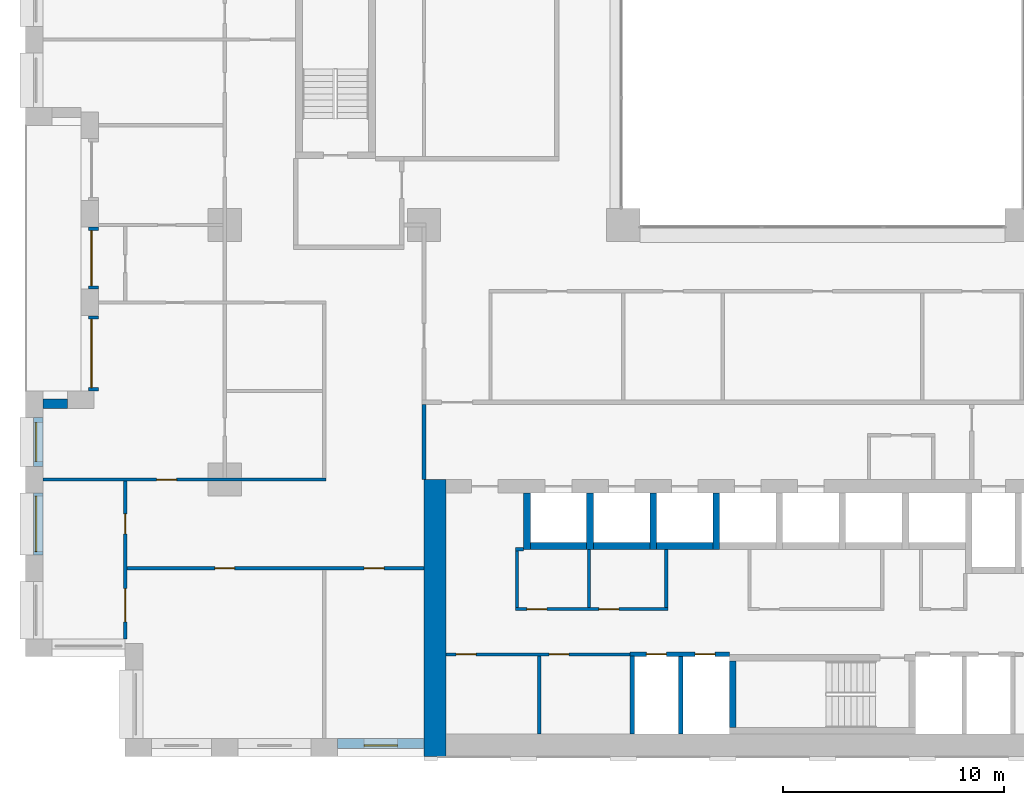
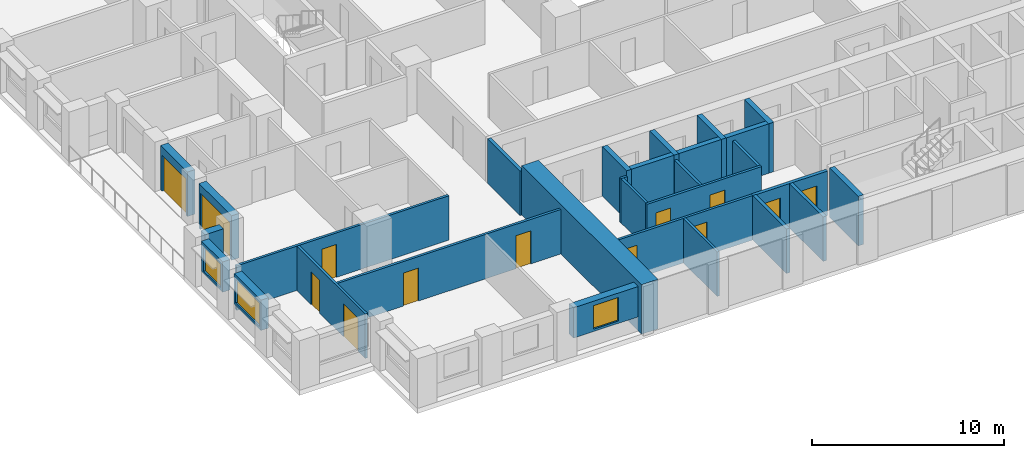
# One storey, part 9 of 20: 29 walls, 13 doors, 3 windows, 16 openings.
"""IFC4 building model written with IfcOpenShell, lengths in metres."""

from ifc_helpers import new_model, si_unit, direction, frame, frame_2d, origin, place, context, subcontext, project, spatial, rectangle, extrude, material, layer, layer_set, type_object, element, fill, save


model = new_model("IFC4")

# Units and contexts
model_context = context("Model", 3, precision=1e-05, world=origin(), true_north=direction((0.0, 1.0)))
body_context = subcontext(model_context, "Body", "Model", "MODEL_VIEW")
ifc_project = project(units=[si_unit("LENGTHUNIT", "METRE"), si_unit("AREAUNIT", "SQUARE_METRE"), si_unit("VOLUMEUNIT", "CUBIC_METRE"), si_unit("PLANEANGLEUNIT", "RADIAN"), si_unit("MASSUNIT", "GRAM", prefix="KILO")], contexts=[model_context])

# Site, building, storey
site_placement = place(None, origin())
site = spatial("IfcSite", under=ifc_project, at=site_placement, CompositionType="ELEMENT")
building_placement = place(site_placement, origin())
building = spatial("IfcBuilding", under=site, at=building_placement, Name="Brigalow Station Residences", CompositionType="ELEMENT")
storey_placement = place(building_placement, frame((0.0, 0.0, 44.699951171875)))
storey = spatial("IfcBuildingStorey", under=building, at=storey_placement, Name="L12", CompositionType="ELEMENT", Elevation=44.699951171875)

# Wall, opening, window
ifc_material_1 = material(Name="Clay brick masonry", Category="masonry")
ifc_layer_1 = layer(ifc_material_1, 0.449951171875)
ifc_layer_set_1 = layer_set([ifc_layer_1], Name="BRICK INFILL WALL 450")
wall_type_1 = type_object("IfcWallType", Name="BRICK INFILL WALL 450", PredefinedType="SOLIDWALL", material=ifc_layer_set_1)
wall_1_placement = place(storey_placement, frame((14.10009765625, 0.574951171875, 0.900146484375), z_axis=(0.0, 0.0, 1.0), x_axis=(1.0, 0.0, 0.0)))
wall_1 = element("IfcWall", 1, at=wall_1_placement, inside=storey, type_object=wall_type_1, Name="L12/ewall/W-L12-3", PredefinedType="SOLIDWALL", context=body_context, shape_type="SweptSolid", body=[
    extrude(rectangle(XDim=3.89990234375, YDim=0.449951171875, at=frame_2d((1.949951171875, 0.0))), origin(), (0.0, 0.0, 1.0), 1.929931640625),
])
opening_1_placement = place(wall_1_placement, frame((1.199951171875, 0.0, 0.14990234375)))
opening_1 = element("IfcOpeningElement", 2, at=opening_1_placement, cuts=wall_1, Name="Opening WT-1", PredefinedType="OPENING", context=body_context, shape_type="SweptSolid", body=[
    extrude(rectangle(XDim=1.5, YDim=1.5, at=frame_2d((0.75, 0.75))), frame((0.0, 0.23486328125, 0.0), z_axis=(0.0, -1.0, 0.0), x_axis=(1.0, 0.0, 0.0)), (0.0, 0.0, 1.0), 0.469970703125),
])
ifc_material_2 = material(Name="Anodised aluminium frame with double glazing", Category="aluminium")
window_type_1 = type_object("IfcWindowType", Name="WINDOW 1500x1500", PartitioningType="SINGLE_PANEL", PredefinedType="WINDOW", material=ifc_material_2)
window_1_placement = place(opening_1_placement, origin())
window_1 = element("IfcWindow", 3, at=window_1_placement, inside=storey, type_object=window_type_1, Name="L12/window/W-L12-3", OverallHeight=1.5, OverallWidth=1.5, PartitioningType="SINGLE_PANEL", PredefinedType="WINDOW", context=body_context, shape_type="SweptSolid", body=[
    extrude(rectangle(XDim=1.5, YDim=1.5, at=frame_2d((0.75, 0.75))), frame((0.0, -0.06494140625, 0.0), z_axis=(0.0, -1.0, 0.0), x_axis=(1.0, 0.0, 0.0)), (0.0, 0.0, 1.0), 0.06005859375),
])
fill(opening_1, window_1)

# Wall, opening, door
wall_2_placement = place(storey_placement, frame((3.074951171875, 23.89990234375, 0.0), z_axis=(0.0, 0.0, 1.0), x_axis=(0.0, -1.0, 0.0)))
wall_2 = element("IfcWall", 4, at=wall_2_placement, inside=storey, type_object=wall_type_1, Name="L12/ewall/W-L12-48", PredefinedType="SOLIDWALL", context=body_context, shape_type="SweptSolid", body=[
    extrude(rectangle(XDim=2.7998046875, YDim=0.449951171875, at=frame_2d((1.39990234375, 0.0))), origin(), (0.0, 0.0, 1.0), 2.830078125),
])
opening_2_placement = place(wall_2_placement, frame((0.14990234375, 0.0, 0.0)))
opening_2 = element("IfcOpeningElement", 5, at=opening_2_placement, cuts=wall_2, Name="Opening D-B2500", PredefinedType="OPENING", context=body_context, shape_type="SweptSolid", body=[
    extrude(rectangle(XDim=2.5, YDim=2.300048828125, at=frame_2d((1.25, 1.14990234375))), frame((0.0, 0.23486328125, 0.0), z_axis=(0.0, -1.0, 0.0), x_axis=(1.0, 0.0, 0.0)), (0.0, 0.0, 1.0), 0.469970703125),
])
ifc_material_3 = material(Name="Anodised aluminium frame with double glazing", Category="aluminium")
door_type_1 = type_object("IfcDoorType", Name="BALCONY SLIDING DOOR 2500x2300", OperationType="SLIDING_TO_LEFT", PredefinedType="DOOR", material=ifc_material_3)
door_1_placement = place(opening_2_placement, origin())
door_1 = element("IfcDoor", 6, at=door_1_placement, inside=storey, type_object=door_type_1, Name="L12/balcony-door/W-L12-48", OperationType="SLIDING_TO_LEFT", OverallHeight=2.300048828125, OverallWidth=2.5, PredefinedType="DOOR", context=body_context, shape_type="SweptSolid", body=[
    extrude(rectangle(XDim=2.5, YDim=2.300048828125, at=frame_2d((1.25, 1.14990234375))), frame((0.0, -0.06982421875, 0.0), z_axis=(0.0, -1.0, 0.0), x_axis=(1.0, 0.0, 0.0)), (0.0, 0.0, 1.0), 0.050048828125),
])
fill(opening_2, door_1)

wall_3_placement = place(storey_placement, frame((3.074951171875, 19.89990234375, 0.0), z_axis=(0.0, 0.0, 1.0), x_axis=(0.0, -1.0, 0.0)))
wall_3 = element("IfcWall", 7, at=wall_3_placement, inside=storey, type_object=wall_type_1, Name="L12/ewall/W-L12-49", PredefinedType="SOLIDWALL", context=body_context, shape_type="SweptSolid", body=[
    extrude(rectangle(XDim=3.39990234375, YDim=0.449951171875, at=frame_2d((1.699951171875, 0.0))), origin(), (0.0, 0.0, 1.0), 2.830078125),
])
opening_3_placement = place(wall_3_placement, frame((0.14990234375, 0.0, 0.0)))
opening_3 = element("IfcOpeningElement", 8, at=opening_3_placement, cuts=wall_3, Name="Opening D-B3100", PredefinedType="OPENING", context=body_context, shape_type="SweptSolid", body=[
    extrude(rectangle(XDim=3.10009765625, YDim=2.300048828125, at=frame_2d((1.550048828125, 1.14990234375))), frame((0.0, 0.23486328125, 0.0), z_axis=(0.0, -1.0, 0.0), x_axis=(1.0, 0.0, 0.0)), (0.0, 0.0, 1.0), 0.469970703125),
])
ifc_material_4 = material(Name="Anodised aluminium frame with double glazing", Category="aluminium")
door_type_2 = type_object("IfcDoorType", Name="BALCONY SLIDING DOOR 3100x2300", OperationType="SLIDING_TO_LEFT", PredefinedType="DOOR", material=ifc_material_4)
door_2_placement = place(opening_3_placement, origin())
door_2 = element("IfcDoor", 9, at=door_2_placement, inside=storey, type_object=door_type_2, Name="L12/balcony-door/W-L12-49", OperationType="SLIDING_TO_LEFT", OverallHeight=2.300048828125, OverallWidth=3.10009765625, PredefinedType="DOOR", context=body_context, shape_type="SweptSolid", body=[
    extrude(rectangle(XDim=3.10009765625, YDim=2.300048828125, at=frame_2d((1.550048828125, 1.14990234375))), frame((0.0, -0.06982421875, 0.0), z_axis=(0.0, -1.0, 0.0), x_axis=(1.0, 0.0, 0.0)), (0.0, 0.0, 1.0), 0.050048828125),
])
fill(opening_3, door_2)

# Wall
wall_4_placement = place(storey_placement, frame((1.89990234375, 15.925048828125, 0.900146484375), z_axis=(0.0, 0.0, 1.0), x_axis=(-1.0, 0.0, 0.0)))
element("IfcWall", 10, at=wall_4_placement, inside=storey, type_object=wall_type_1, Name="L12/ewall/W-L12-50", PredefinedType="SOLIDWALL", context=body_context, shape_type="SweptSolid", body=[
    extrude(rectangle(XDim=1.099853515625, YDim=0.449951171875, at=frame_2d((0.5498046875, 0.0))), origin(), (0.0, 0.0, 1.0), 1.929931640625),
])

# Wall, opening, window
wall_5_placement = place(storey_placement, frame((0.574951171875, 15.300048828125, 0.900146484375), z_axis=(0.0, 0.0, 1.0), x_axis=(0.0, -1.0, 0.0)))
wall_5 = element("IfcWall", 11, at=wall_5_placement, inside=storey, type_object=wall_type_1, Name="L12/ewall/W-L12-51", PredefinedType="SOLIDWALL", context=body_context, shape_type="SweptSolid", body=[
    extrude(rectangle(XDim=2.199951171875, YDim=0.449951171875, at=frame_2d((1.10009765625, 0.0))), origin(), (0.0, 0.0, 1.0), 1.929931640625),
])
opening_4_placement = place(wall_5_placement, frame((0.22509765625, 0.0, 0.14990234375)))
opening_4 = element("IfcOpeningElement", 12, at=opening_4_placement, cuts=wall_5, Name="Opening WT-4", PredefinedType="OPENING", context=body_context, shape_type="SweptSolid", body=[
    extrude(rectangle(XDim=1.75, YDim=1.5, at=frame_2d((0.875, 0.75))), frame((0.0, 0.23486328125, 0.0), z_axis=(0.0, -1.0, 0.0), x_axis=(1.0, 0.0, 0.0)), (0.0, 0.0, 1.0), 0.469970703125),
])
ifc_material_5 = material(Name="Anodised aluminium frame with double glazing", Category="aluminium")
window_type_2 = type_object("IfcWindowType", Name="WINDOW 1750x1500", PartitioningType="SINGLE_PANEL", PredefinedType="WINDOW", material=ifc_material_5)
window_2_placement = place(opening_4_placement, origin())
window_2 = element("IfcWindow", 13, at=window_2_placement, inside=storey, type_object=window_type_2, Name="L12/window/W-L12-51", OverallHeight=1.5, OverallWidth=1.75, PartitioningType="SINGLE_PANEL", PredefinedType="WINDOW", context=body_context, shape_type="SweptSolid", body=[
    extrude(rectangle(XDim=1.75, YDim=1.5, at=frame_2d((0.875, 0.75))), frame((0.0, -0.06494140625, 0.0), z_axis=(0.0, -1.0, 0.0), x_axis=(1.0, 0.0, 0.0)), (0.0, 0.0, 1.0), 0.06005859375),
])
fill(opening_4, window_2)

wall_6_placement = place(storey_placement, frame((0.574951171875, 11.89990234375, 0.900146484375), z_axis=(0.0, 0.0, 1.0), x_axis=(0.0, -1.0, 0.0)))
wall_6 = element("IfcWall", 14, at=wall_6_placement, inside=storey, type_object=wall_type_1, Name="L12/ewall/W-L12-52", PredefinedType="SOLIDWALL", context=body_context, shape_type="SweptSolid", body=[
    extrude(rectangle(XDim=2.7998046875, YDim=0.449951171875, at=frame_2d((1.39990234375, 0.0))), origin(), (0.0, 0.0, 1.0), 1.929931640625),
])
opening_5_placement = place(wall_6_placement, frame((0.14990234375, 0.0, 0.14990234375)))
opening_5 = element("IfcOpeningElement", 15, at=opening_5_placement, cuts=wall_6, Name="Opening WT-5", PredefinedType="OPENING", context=body_context, shape_type="SweptSolid", body=[
    extrude(rectangle(XDim=2.5, YDim=1.5, at=frame_2d((1.25, 0.75))), frame((0.0, 0.23486328125, 0.0), z_axis=(0.0, -1.0, 0.0), x_axis=(1.0, 0.0, 0.0)), (0.0, 0.0, 1.0), 0.469970703125),
])
ifc_material_6 = material(Name="Anodised aluminium frame with double glazing", Category="aluminium")
window_type_3 = type_object("IfcWindowType", Name="WINDOW 2500x1500", PartitioningType="SINGLE_PANEL", PredefinedType="WINDOW", material=ifc_material_6)
window_3_placement = place(opening_5_placement, origin())
window_3 = element("IfcWindow", 16, at=window_3_placement, inside=storey, type_object=window_type_3, Name="L12/window/W-L12-52", OverallHeight=1.5, OverallWidth=2.5, PartitioningType="SINGLE_PANEL", PredefinedType="WINDOW", context=body_context, shape_type="SweptSolid", body=[
    extrude(rectangle(XDim=2.5, YDim=1.5, at=frame_2d((1.25, 0.75))), frame((0.0, -0.06494140625, 0.0), z_axis=(0.0, -1.0, 0.0), x_axis=(1.0, 0.0, 0.0)), (0.0, 0.0, 1.0), 0.06005859375),
])
fill(opening_5, window_3)

# Walls
ifc_material_7 = material(Name="Concrete C80", Category="concrete")
ifc_layer_2 = layer(ifc_material_7, 1.0)
ifc_layer_set_2 = layer_set([ifc_layer_2], Name="CORE SHEAR WALL 1000 C80")
wall_type_2 = type_object("IfcWallType", Name="CORE SHEAR WALL 1000 C80", PredefinedType="SHEAR", material=ifc_layer_set_2)
wall_7_placement = place(storey_placement, frame((18.5, 0.0, 0.0), z_axis=(0.0, 0.0, 1.0), x_axis=(0.0, 1.0, 0.0)))
element("IfcWall", 17, at=wall_7_placement, inside=storey, type_object=wall_type_2, Name="CORE WALL OUT-W L12", PredefinedType="SHEAR", context=body_context, shape_type="SweptSolid", body=[
    extrude(rectangle(XDim=12.5, YDim=1.0, at=frame_2d((6.25, 0.0))), origin(), (0.0, 0.0, 1.0), 3.150146484375),
])
ifc_material_8 = material(Name="Concrete C80", Category="concrete")
ifc_layer_3 = layer(ifc_material_8, 0.300048828125)
ifc_layer_set_3 = layer_set([ifc_layer_3], Name="CORE SHEAR WALL 300 C80")
wall_type_3 = type_object("IfcWallType", Name="CORE SHEAR WALL 300 C80", PredefinedType="SHEAR", material=ifc_layer_set_3)
wall_8_placement = place(storey_placement, frame((22.800048828125, 9.5, 0.0), z_axis=(0.0, 0.0, 1.0), x_axis=(1.0, 0.0, 0.0)))
element("IfcWall", 18, at=wall_8_placement, inside=storey, type_object=wall_type_3, Name="CORE WALL SH-P1-S L12", PredefinedType="SHEAR", context=body_context, shape_type="SweptSolid", body=[
    extrude(rectangle(XDim=2.550048828125, YDim=0.300048828125, at=frame_2d((1.27490234375, 0.0))), origin(), (0.0, 0.0, 1.0), 3.150146484375),
])
wall_9_placement = place(storey_placement, frame((22.64990234375, 9.35009765625, 0.0), z_axis=(0.0, 0.0, 1.0), x_axis=(0.0, 1.0, 0.0)))
element("IfcWall", 19, at=wall_9_placement, inside=storey, type_object=wall_type_3, Name="CORE WALL SH-P1-W L12", PredefinedType="SHEAR", context=body_context, shape_type="SweptSolid", body=[
    extrude(rectangle(XDim=2.5498046875, YDim=0.300048828125, at=frame_2d((1.27490234375, 0.0))), origin(), (0.0, 0.0, 1.0), 3.150146484375),
])
wall_10_placement = place(storey_placement, frame((25.64990234375, 9.5, 0.0), z_axis=(0.0, 0.0, 1.0), x_axis=(1.0, 0.0, 0.0)))
element("IfcWall", 20, at=wall_10_placement, inside=storey, type_object=wall_type_3, Name="CORE WALL SH-P2-S L12", PredefinedType="SHEAR", context=body_context, shape_type="SweptSolid", body=[
    extrude(rectangle(XDim=2.550048828125, YDim=0.300048828125, at=frame_2d((1.27490234375, 0.0))), origin(), (0.0, 0.0, 1.0), 3.150146484375),
])
wall_11_placement = place(storey_placement, frame((25.5, 9.35009765625, 0.0), z_axis=(0.0, 0.0, 1.0), x_axis=(0.0, 1.0, 0.0)))
element("IfcWall", 21, at=wall_11_placement, inside=storey, type_object=wall_type_3, Name="CORE WALL SH-P2-W L12", PredefinedType="SHEAR", context=body_context, shape_type="SweptSolid", body=[
    extrude(rectangle(XDim=2.5498046875, YDim=0.300048828125, at=frame_2d((1.27490234375, 0.0))), origin(), (0.0, 0.0, 1.0), 3.150146484375),
])
wall_12_placement = place(storey_placement, frame((28.5, 9.5, 0.0), z_axis=(0.0, 0.0, 1.0), x_axis=(1.0, 0.0, 0.0)))
element("IfcWall", 22, at=wall_12_placement, inside=storey, type_object=wall_type_3, Name="CORE WALL SH-P3-S L12", PredefinedType="SHEAR", context=body_context, shape_type="SweptSolid", body=[
    extrude(rectangle(XDim=2.550048828125, YDim=0.300048828125, at=frame_2d((1.27490234375, 0.0))), origin(), (0.0, 0.0, 1.0), 3.150146484375),
])
for number, where, z_axis, x_axis, name in (
    (23, (28.35009765625, 9.35009765625, 0.0), (0.0, 0.0, 1.0), (0.0, 1.0, 0.0), "CORE WALL SH-P3-W L12"),
    (24, (31.199951171875, 9.35009765625, 0.0), (0.0, 0.0, 1.0), (0.0, 1.0, 0.0), "CORE WALL SH-P4-W L12"),
):
    element("IfcWall", number, at=place(storey_placement, frame(where, z_axis=z_axis, x_axis=x_axis)), inside=storey, type_object=wall_type_3, Name=name, PredefinedType="SHEAR", context=body_context, shape_type="SweptSolid", body=[
        extrude(rectangle(XDim=2.5498046875, YDim=0.300048828125, at=frame_2d((1.27490234375, 0.0))), origin(), (0.0, 0.0, 1.0), 3.150146484375),
    ])
wall_13_placement = place(storey_placement, frame((31.949951171875, 1.300048828125, 0.0), z_axis=(0.0, 0.0, 1.0), x_axis=(0.0, 1.0, 0.0)))
element("IfcWall", 25, at=wall_13_placement, inside=storey, type_object=wall_type_3, Name="CORE WALL ST-S2-W L12", PredefinedType="SHEAR", context=body_context, shape_type="SweptSolid", body=[
    extrude(rectangle(XDim=3.0, YDim=0.300048828125, at=frame_2d((1.5, 0.0))), origin(), (0.0, 0.0, 1.0), 3.150146484375),
])

# Wall, openings, doors
ifc_material_9 = material(Name="Concrete blockwork", Category="masonry")
ifc_layer_4 = layer(ifc_material_9, 0.199951171875)
ifc_layer_set_4 = layer_set([ifc_layer_4], Name="FIRE RATED CORE PARTITION 200")
wall_type_4 = type_object("IfcWallType", Name="FIRE RATED CORE PARTITION 200", PredefinedType="PARTITIONING", material=ifc_layer_set_4)
wall_14_placement = place(storey_placement, frame((27.300048828125, 4.60009765625, 0.0), z_axis=(0.0, 0.0, 1.0), x_axis=(1.0, 0.0, 0.0)))
wall_14 = element("IfcWall", 26, at=wall_14_placement, inside=storey, type_object=wall_type_4, Name="PW-5017", PredefinedType="PARTITIONING", context=body_context, shape_type="SweptSolid", body=[
    extrude(rectangle(XDim=4.5, YDim=0.199951171875, at=frame_2d((2.25, 0.0))), origin(), (0.0, 0.0, 1.0), 2.830078125),
])
opening_6_placement = place(wall_14_placement, frame((0.75, 0.0, 0.0)))
opening_6 = element("IfcOpeningElement", 27, at=opening_6_placement, cuts=wall_14, Name="Opening D-5007", PredefinedType="OPENING", context=body_context, shape_type="SweptSolid", body=[
    extrude(rectangle(XDim=0.89990234375, YDim=2.10009765625, at=frame_2d((0.449951171875, 1.050048828125))), frame((0.0, 0.10986328125, 0.0), z_axis=(0.0, -1.0, 0.0), x_axis=(1.0, 0.0, 0.0)), (0.0, 0.0, 1.0), 0.219970703125),
])
opening_7_placement = place(wall_14_placement, frame((2.949951171875, 0.0, 0.0)))
opening_7 = element("IfcOpeningElement", 28, at=opening_7_placement, cuts=wall_14, Name="Opening D-5008", PredefinedType="OPENING", context=body_context, shape_type="SweptSolid", body=[
    extrude(rectangle(XDim=0.89990234375, YDim=2.10009765625, at=frame_2d((0.449951171875, 1.050048828125))), frame((0.0, 0.10986328125, 0.0), z_axis=(0.0, -1.0, 0.0), x_axis=(1.0, 0.0, 0.0)), (0.0, 0.0, 1.0), 0.219970703125),
])
ifc_material_10 = material(Name="Steel fire door leaf in steel frame", Category="steel")
door_type_3 = type_object("IfcDoorType", Name="RISER ACCESS DOOR 900 x 2100 FD120", OperationType="SINGLE_SWING_LEFT", PredefinedType="DOOR", material=ifc_material_10)
door_3_placement = place(opening_6_placement, frame((0.89990234375, 0.0, 0.0), z_axis=(0.0, 0.0, 1.0), x_axis=(-1.0, 0.0, 0.0)))
door_3 = element("IfcDoor", 29, at=door_3_placement, inside=storey, type_object=door_type_3, Name="D-5007", OperationType="SINGLE_SWING_RIGHT", OverallHeight=2.10009765625, OverallWidth=0.89990234375, PredefinedType="DOOR", context=body_context, shape_type="SweptSolid", body=[
    extrude(rectangle(XDim=0.89990234375, YDim=2.10009765625, at=frame_2d((0.449951171875, 1.050048828125))), frame((0.0, 0.02490234375, 0.0), z_axis=(0.0, -1.0, 0.0), x_axis=(1.0, 0.0, 0.0)), (0.0, 0.0, 1.0), 0.050048828125),
])
fill(opening_6, door_3)
door_4_placement = place(opening_7_placement, frame((0.89990234375, 0.0, 0.0), z_axis=(0.0, 0.0, 1.0), x_axis=(-1.0, 0.0, 0.0)))
door_4 = element("IfcDoor", 30, at=door_4_placement, inside=storey, type_object=door_type_3, Name="D-5008", OperationType="SINGLE_SWING_RIGHT", OverallHeight=2.10009765625, OverallWidth=0.89990234375, PredefinedType="DOOR", context=body_context, shape_type="SweptSolid", body=[
    extrude(rectangle(XDim=0.89990234375, YDim=2.10009765625, at=frame_2d((0.449951171875, 1.050048828125))), frame((0.0, 0.02490234375, 0.0), z_axis=(0.0, -1.0, 0.0), x_axis=(1.0, 0.0, 0.0)), (0.0, 0.0, 1.0), 0.050048828125),
])
fill(opening_7, door_4)

# Walls
wall_15_placement = place(storey_placement, frame((27.39990234375, 1.0, 0.0), z_axis=(0.0, 0.0, 1.0), x_axis=(0.0, 1.0, 0.0)))
element("IfcWall", 31, at=wall_15_placement, inside=storey, type_object=wall_type_4, Name="PW-5027", PredefinedType="PARTITIONING", context=body_context, shape_type="SweptSolid", body=[
    extrude(rectangle(XDim=3.52490234375, YDim=0.199951171875, at=frame_2d((1.762451171875, 0.0))), origin(), (0.0, 0.0, 1.0), 2.830078125),
])
wall_16_placement = place(storey_placement, frame((29.60009765625, 1.0, 0.0), z_axis=(0.0, 0.0, 1.0), x_axis=(0.0, 1.0, 0.0)))
element("IfcWall", 32, at=wall_16_placement, inside=storey, type_object=wall_type_4, Name="PW-5006", PredefinedType="PARTITIONING", context=body_context, shape_type="SweptSolid", body=[
    extrude(rectangle(XDim=3.5, YDim=0.199951171875, at=frame_2d((1.75, 0.0))), origin(), (0.0, 0.0, 1.0), 2.830078125),
])
wall_17_placement = place(storey_placement, frame((18.0, 12.5, 0.0), z_axis=(0.0, 0.0, 1.0), x_axis=(0.0, 1.0, 0.0)))
element("IfcWall", 33, at=wall_17_placement, inside=storey, type_object=wall_type_4, Name="PW-5013", PredefinedType="PARTITIONING", context=body_context, shape_type="SweptSolid", body=[
    extrude(rectangle(XDim=3.39990234375, YDim=0.199951171875, at=frame_2d((1.699951171875, 0.0))), origin(), (0.0, 0.0, 1.0), 2.830078125),
])

# Wall, openings, doors
ifc_material_11 = material(Name="Plasterboard on steel stud partition", Category="steel")
ifc_layer_5 = layer(ifc_material_11, 0.14990234375)
ifc_layer_set_5 = layer_set([ifc_layer_5], Name="FLAT PARTITION 150")
wall_type_5 = type_object("IfcWallType", Name="FLAT PARTITION 150", PredefinedType="PARTITIONING", material=ifc_layer_set_5)
wall_18_placement = place(storey_placement, frame((4.574951171875, 8.5, 0.0), z_axis=(0.0, 0.0, 1.0), x_axis=(1.0, 0.0, 0.0)))
wall_18 = element("IfcWall", 34, at=wall_18_placement, inside=storey, type_object=wall_type_5, Name="PW-1C12", PredefinedType="PARTITIONING", context=body_context, shape_type="SweptSolid", body=[
    extrude(rectangle(XDim=13.425048828125, YDim=0.14990234375, at=frame_2d((6.71240234375, 0.0))), origin(), (0.0, 0.0, 1.0), 2.830078125),
])
opening_8_placement = place(wall_18_placement, frame((10.72509765625, 0.0, 0.0)))
opening_8 = element("IfcOpeningElement", 35, at=opening_8_placement, cuts=wall_18, Name="Opening D-1C12", PredefinedType="OPENING", context=body_context, shape_type="SweptSolid", body=[
    extrude(rectangle(XDim=0.89990234375, YDim=2.10009765625, at=frame_2d((0.449951171875, 1.050048828125))), frame((0.0, 0.0849609375, 0.0), z_axis=(0.0, -1.0, 0.0), x_axis=(1.0, 0.0, 0.0)), (0.0, 0.0, 1.0), 0.169921875),
])
opening_9_placement = place(wall_18_placement, frame((3.97509765625, 0.0, 0.0)))
opening_9 = element("IfcOpeningElement", 36, at=opening_9_placement, cuts=wall_18, Name="Opening D-1C14", PredefinedType="OPENING", context=body_context, shape_type="SweptSolid", body=[
    extrude(rectangle(XDim=0.89990234375, YDim=2.10009765625, at=frame_2d((0.449951171875, 1.050048828125))), frame((0.0, 0.0849609375, 0.0), z_axis=(0.0, -1.0, 0.0), x_axis=(1.0, 0.0, 0.0)), (0.0, 0.0, 1.0), 0.169921875),
])
ifc_material_12 = material(Name="Solid-core timber door leaf", Category="wood")
door_type_4 = type_object("IfcDoorType", Name="INTERNAL DOOR 900 x 2100", OperationType="SINGLE_SWING_LEFT", PredefinedType="DOOR", material=ifc_material_12)
door_5_placement = place(opening_8_placement, frame((0.89990234375, 0.0, 0.0), z_axis=(0.0, 0.0, 1.0), x_axis=(-1.0, 0.0, 0.0)))
door_5 = element("IfcDoor", 37, at=door_5_placement, inside=storey, type_object=door_type_4, Name="D-1C12", OperationType="SINGLE_SWING_RIGHT", OverallHeight=2.10009765625, OverallWidth=0.89990234375, PredefinedType="DOOR", context=body_context, shape_type="SweptSolid", body=[
    extrude(rectangle(XDim=0.89990234375, YDim=2.10009765625, at=frame_2d((0.449951171875, 1.050048828125))), frame((0.0, 0.02490234375, 0.0), z_axis=(0.0, -1.0, 0.0), x_axis=(1.0, 0.0, 0.0)), (0.0, 0.0, 1.0), 0.050048828125),
])
fill(opening_8, door_5)
door_6_placement = place(opening_9_placement, frame((0.89990234375, 0.0, 0.0), z_axis=(0.0, 0.0, 1.0), x_axis=(-1.0, 0.0, 0.0)))
door_6 = element("IfcDoor", 38, at=door_6_placement, inside=storey, type_object=door_type_4, Name="D-1C14", OperationType="SINGLE_SWING_LEFT", OverallHeight=2.10009765625, OverallWidth=0.89990234375, PredefinedType="DOOR", context=body_context, shape_type="SweptSolid", body=[
    extrude(rectangle(XDim=0.89990234375, YDim=2.10009765625, at=frame_2d((0.449951171875, 1.050048828125))), frame((0.0, 0.02490234375, 0.0), z_axis=(0.0, -1.0, 0.0), x_axis=(1.0, 0.0, 0.0)), (0.0, 0.0, 1.0), 0.050048828125),
])
fill(opening_9, door_6)

# Wall, opening, door
wall_19_placement = place(storey_placement, frame((0.800048828125, 12.5, 0.0), z_axis=(0.0, 0.0, 1.0), x_axis=(1.0, 0.0, 0.0)))
wall_19 = element("IfcWall", 39, at=wall_19_placement, inside=storey, type_object=wall_type_5, Name="PW-1C14", PredefinedType="PARTITIONING", context=body_context, shape_type="SweptSolid", body=[
    extrude(rectangle(XDim=12.77490234375, YDim=0.14990234375, at=frame_2d((6.387451171875, 0.0))), origin(), (0.0, 0.0, 1.0), 2.830078125),
])
opening_10_placement = place(wall_19_placement, frame((5.125, 0.0, 0.0)))
opening_10 = element("IfcOpeningElement", 40, at=opening_10_placement, cuts=wall_19, Name="Opening D-1C15", PredefinedType="OPENING", context=body_context, shape_type="SweptSolid", body=[
    extrude(rectangle(XDim=0.89990234375, YDim=2.10009765625, at=frame_2d((0.449951171875, 1.050048828125))), frame((0.0, 0.0849609375, 0.0), z_axis=(0.0, -1.0, 0.0), x_axis=(1.0, 0.0, 0.0)), (0.0, 0.0, 1.0), 0.169921875),
])
door_7_placement = place(opening_10_placement, origin())
door_7 = element("IfcDoor", 41, at=door_7_placement, inside=storey, type_object=door_type_4, Name="D-1C15", OperationType="SINGLE_SWING_RIGHT", OverallHeight=2.10009765625, OverallWidth=0.89990234375, PredefinedType="DOOR", context=body_context, shape_type="SweptSolid", body=[
    extrude(rectangle(XDim=0.89990234375, YDim=2.10009765625, at=frame_2d((0.449951171875, 1.050048828125))), frame((0.0, 0.02490234375, 0.0), z_axis=(0.0, -1.0, 0.0), x_axis=(1.0, 0.0, 0.0)), (0.0, 0.0, 1.0), 0.050048828125),
])
fill(opening_10, door_7)

# Wall, openings, doors
wall_20_placement = place(storey_placement, frame((4.5, 5.300048828125, 0.0), z_axis=(0.0, 0.0, 1.0), x_axis=(0.0, 1.0, 0.0)))
wall_20 = element("IfcWall", 42, at=wall_20_placement, inside=storey, type_object=wall_type_5, Name="PW-1C51", PredefinedType="PARTITIONING", context=body_context, shape_type="SweptSolid", body=[
    extrude(rectangle(XDim=7.125, YDim=0.14990234375, at=frame_2d((3.5625, 0.0))), origin(), (0.0, 0.0, 1.0), 2.830078125),
])
opening_11_placement = place(wall_20_placement, frame((4.75, 0.0, 0.0)))
opening_11 = element("IfcOpeningElement", 43, at=opening_11_placement, cuts=wall_20, Name="Opening D-1C07", PredefinedType="OPENING", context=body_context, shape_type="SweptSolid", body=[
    extrude(rectangle(XDim=0.89990234375, YDim=2.10009765625, at=frame_2d((0.449951171875, 1.050048828125))), frame((0.0, 0.0849609375, 0.0), z_axis=(0.0, -1.0, 0.0), x_axis=(1.0, 0.0, 0.0)), (0.0, 0.0, 1.0), 0.169921875),
])
opening_12_placement = place(wall_20_placement, frame((0.77490234375, 0.0, 0.0)))
opening_12 = element("IfcOpeningElement", 44, at=opening_12_placement, cuts=wall_20, Name="Opening D-1C08", PredefinedType="OPENING", context=body_context, shape_type="SweptSolid", body=[
    extrude(rectangle(XDim=1.5, YDim=2.10009765625, at=frame_2d((0.75, 1.050048828125))), frame((0.0, 0.0849609375, 0.0), z_axis=(0.0, -1.0, 0.0), x_axis=(1.0, 0.0, 0.0)), (0.0, 0.0, 1.0), 0.169921875),
])
door_8_placement = place(opening_11_placement, origin())
door_8 = element("IfcDoor", 45, at=door_8_placement, inside=storey, type_object=door_type_4, Name="D-1C07", OperationType="SINGLE_SWING_RIGHT", OverallHeight=2.10009765625, OverallWidth=0.89990234375, PredefinedType="DOOR", context=body_context, shape_type="SweptSolid", body=[
    extrude(rectangle(XDim=0.89990234375, YDim=2.10009765625, at=frame_2d((0.449951171875, 1.050048828125))), frame((0.0, 0.02490234375, 0.0), z_axis=(0.0, -1.0, 0.0), x_axis=(1.0, 0.0, 0.0)), (0.0, 0.0, 1.0), 0.050048828125),
])
fill(opening_11, door_8)
ifc_material_13 = material(Name="Solid-core timber door leaf", Category="wood")
door_type_5 = type_object("IfcDoorType", Name="INTERNAL DOUBLE DOOR 1500 x 2100", OperationType="DOUBLE_DOOR_SINGLE_SWING", PredefinedType="DOOR", material=ifc_material_13)
door_9_placement = place(opening_12_placement, origin())
door_9 = element("IfcDoor", 46, at=door_9_placement, inside=storey, type_object=door_type_5, Name="D-1C08", OperationType="DOUBLE_DOOR_SINGLE_SWING", OverallHeight=2.10009765625, OverallWidth=1.5, PredefinedType="DOOR", context=body_context, shape_type="SweptSolid", body=[
    extrude(rectangle(XDim=1.5, YDim=2.10009765625, at=frame_2d((0.75, 1.050048828125))), frame((0.0, 0.02490234375, 0.0), z_axis=(0.0, -1.0, 0.0), x_axis=(1.0, 0.0, 0.0)), (0.0, 0.0, 1.0), 0.050048828125),
])
fill(opening_12, door_9)

ifc_material_14 = material(Name="Plasterboard on steel studs", Category="steel")
ifc_layer_6 = layer(ifc_material_14, 0.14990234375)
ifc_layer_set_6 = layer_set([ifc_layer_6], Name="SERVICE ROOM PARTITION 150")
wall_type_6 = type_object("IfcWallType", Name="SERVICE ROOM PARTITION 150", PredefinedType="PARTITIONING", material=ifc_layer_set_6)
wall_21_placement = place(storey_placement, frame((19.0, 4.60009765625, 0.0), z_axis=(0.0, 0.0, 1.0), x_axis=(1.0, 0.0, 0.0)))
wall_21 = element("IfcWall", 47, at=wall_21_placement, inside=storey, type_object=wall_type_6, Name="PW-5019", PredefinedType="PARTITIONING", context=body_context, shape_type="SweptSolid", body=[
    extrude(rectangle(XDim=8.300048828125, YDim=0.14990234375, at=frame_2d((4.14990234375, 0.0))), origin(), (0.0, 0.0, 1.0), 2.830078125),
])
opening_13_placement = place(wall_21_placement, frame((0.449951171875, 0.0, 0.0)))
opening_13 = element("IfcOpeningElement", 48, at=opening_13_placement, cuts=wall_21, Name="Opening D-5025", PredefinedType="OPENING", context=body_context, shape_type="SweptSolid", body=[
    extrude(rectangle(XDim=0.89990234375, YDim=2.10009765625, at=frame_2d((0.449951171875, 1.050048828125))), frame((0.0, 0.0849609375, 0.0), z_axis=(0.0, -1.0, 0.0), x_axis=(1.0, 0.0, 0.0)), (0.0, 0.0, 1.0), 0.169921875),
])
opening_14_placement = place(wall_21_placement, frame((4.64990234375, 0.0, 0.0)))
opening_14 = element("IfcOpeningElement", 49, at=opening_14_placement, cuts=wall_21, Name="Opening D-5074", PredefinedType="OPENING", context=body_context, shape_type="SweptSolid", body=[
    extrude(rectangle(XDim=0.89990234375, YDim=2.10009765625, at=frame_2d((0.449951171875, 1.050048828125))), frame((0.0, 0.0849609375, 0.0), z_axis=(0.0, -1.0, 0.0), x_axis=(1.0, 0.0, 0.0)), (0.0, 0.0, 1.0), 0.169921875),
])
ifc_material_15 = material(Name="Steel door leaf in steel frame", Category="steel")
door_type_6 = type_object("IfcDoorType", Name="SERVICE ROOM DOOR 900 x 2100 FD60", OperationType="SINGLE_SWING_LEFT", PredefinedType="DOOR", material=ifc_material_15)
door_10_placement = place(opening_13_placement, frame((0.89990234375, 0.0, 0.0), z_axis=(0.0, 0.0, 1.0), x_axis=(-1.0, 0.0, 0.0)))
door_10 = element("IfcDoor", 50, at=door_10_placement, inside=storey, type_object=door_type_6, Name="D-5025", OperationType="SINGLE_SWING_RIGHT", OverallHeight=2.10009765625, OverallWidth=0.89990234375, PredefinedType="DOOR", context=body_context, shape_type="SweptSolid", body=[
    extrude(rectangle(XDim=0.89990234375, YDim=2.10009765625, at=frame_2d((0.449951171875, 1.050048828125))), frame((0.0, 0.02490234375, 0.0), z_axis=(0.0, -1.0, 0.0), x_axis=(1.0, 0.0, 0.0)), (0.0, 0.0, 1.0), 0.050048828125),
])
fill(opening_13, door_10)
door_11_placement = place(opening_14_placement, frame((0.89990234375, 0.0, 0.0), z_axis=(0.0, 0.0, 1.0), x_axis=(-1.0, 0.0, 0.0)))
door_11 = element("IfcDoor", 51, at=door_11_placement, inside=storey, type_object=door_type_6, Name="D-5074", OperationType="SINGLE_SWING_RIGHT", OverallHeight=2.10009765625, OverallWidth=0.89990234375, PredefinedType="DOOR", context=body_context, shape_type="SweptSolid", body=[
    extrude(rectangle(XDim=0.89990234375, YDim=2.10009765625, at=frame_2d((0.449951171875, 1.050048828125))), frame((0.0, 0.02490234375, 0.0), z_axis=(0.0, -1.0, 0.0), x_axis=(1.0, 0.0, 0.0)), (0.0, 0.0, 1.0), 0.050048828125),
])
fill(opening_14, door_11)

wall_22_placement = place(storey_placement, frame((22.125, 6.64990234375, 0.0), z_axis=(0.0, 0.0, 1.0), x_axis=(1.0, 0.0, 0.0)))
wall_22 = element("IfcWall", 52, at=wall_22_placement, inside=storey, type_object=wall_type_6, Name="PW-5126", PredefinedType="PARTITIONING", context=body_context, shape_type="SweptSolid", body=[
    extrude(rectangle(XDim=6.89990234375, YDim=0.14990234375, at=frame_2d((3.449951171875, 0.0))), origin(), (0.0, 0.0, 1.0), 2.830078125),
])
opening_15_placement = place(wall_22_placement, frame((0.52490234375, 0.0, 0.0)))
opening_15 = element("IfcOpeningElement", 53, at=opening_15_placement, cuts=wall_22, Name="Opening D-5021", PredefinedType="OPENING", context=body_context, shape_type="SweptSolid", body=[
    extrude(rectangle(XDim=0.89990234375, YDim=2.10009765625, at=frame_2d((0.449951171875, 1.050048828125))), frame((0.0, 0.0849609375, 0.0), z_axis=(0.0, -1.0, 0.0), x_axis=(1.0, 0.0, 0.0)), (0.0, 0.0, 1.0), 0.169921875),
])
opening_16_placement = place(wall_22_placement, frame((3.77490234375, 0.0, 0.0)))
opening_16 = element("IfcOpeningElement", 54, at=opening_16_placement, cuts=wall_22, Name="Opening D-5072", PredefinedType="OPENING", context=body_context, shape_type="SweptSolid", body=[
    extrude(rectangle(XDim=0.89990234375, YDim=2.10009765625, at=frame_2d((0.449951171875, 1.050048828125))), frame((0.0, 0.0849609375, 0.0), z_axis=(0.0, -1.0, 0.0), x_axis=(1.0, 0.0, 0.0)), (0.0, 0.0, 1.0), 0.169921875),
])
door_12_placement = place(opening_15_placement, origin())
door_12 = element("IfcDoor", 55, at=door_12_placement, inside=storey, type_object=door_type_6, Name="D-5021", OperationType="SINGLE_SWING_LEFT", OverallHeight=2.10009765625, OverallWidth=0.89990234375, PredefinedType="DOOR", context=body_context, shape_type="SweptSolid", body=[
    extrude(rectangle(XDim=0.89990234375, YDim=2.10009765625, at=frame_2d((0.449951171875, 1.050048828125))), frame((0.0, 0.02490234375, 0.0), z_axis=(0.0, -1.0, 0.0), x_axis=(1.0, 0.0, 0.0)), (0.0, 0.0, 1.0), 0.050048828125),
])
fill(opening_15, door_12)
door_13_placement = place(opening_16_placement, origin())
door_13 = element("IfcDoor", 56, at=door_13_placement, inside=storey, type_object=door_type_6, Name="D-5072", OperationType="SINGLE_SWING_LEFT", OverallHeight=2.10009765625, OverallWidth=0.89990234375, PredefinedType="DOOR", context=body_context, shape_type="SweptSolid", body=[
    extrude(rectangle(XDim=0.89990234375, YDim=2.10009765625, at=frame_2d((0.449951171875, 1.050048828125))), frame((0.0, 0.02490234375, 0.0), z_axis=(0.0, -1.0, 0.0), x_axis=(1.0, 0.0, 0.0)), (0.0, 0.0, 1.0), 0.050048828125),
])
fill(opening_16, door_13)

# Walls
wall_23_placement = place(storey_placement, frame((22.125, 9.35009765625, 0.0), z_axis=(0.0, 0.0, 1.0), x_axis=(1.0, 0.0, 0.0)))
element("IfcWall", 57, at=wall_23_placement, inside=storey, type_object=wall_type_6, Name="PW-5022", PredefinedType="PARTITIONING", context=body_context, shape_type="SweptSolid", body=[
    extrude(rectangle(XDim=0.375, YDim=0.14990234375, at=frame_2d((0.1875, 0.0))), origin(), (0.0, 0.0, 1.0), 2.830078125),
])
wall_24_placement = place(storey_placement, frame((23.199951171875, 1.0, 0.0), z_axis=(0.0, 0.0, 1.0), x_axis=(0.0, 1.0, 0.0)))
element("IfcWall", 58, at=wall_24_placement, inside=storey, type_object=wall_type_6, Name="PW-5130", PredefinedType="PARTITIONING", context=body_context, shape_type="SweptSolid", body=[
    extrude(rectangle(XDim=3.52490234375, YDim=0.14990234375, at=frame_2d((1.762451171875, 0.0))), origin(), (0.0, 0.0, 1.0), 2.830078125),
])
wall_25_placement = place(storey_placement, frame((22.199951171875, 6.72509765625, 0.0), z_axis=(0.0, 0.0, 1.0), x_axis=(0.0, 1.0, 0.0)))
element("IfcWall", 59, at=wall_25_placement, inside=storey, type_object=wall_type_6, Name="PW-5030", PredefinedType="PARTITIONING", context=body_context, shape_type="SweptSolid", body=[
    extrude(rectangle(XDim=2.5498046875, YDim=0.14990234375, at=frame_2d((1.27490234375, 0.0))), origin(), (0.0, 0.0, 1.0), 2.830078125),
])
for number, where, z_axis, x_axis, name in (
    (60, (25.449951171875, 6.72509765625, 0.0), (0.0, 0.0, 1.0), (0.0, 1.0, 0.0), "PW-5133"),
    (61, (28.949951171875, 6.72509765625, 0.0), (0.0, 0.0, 1.0), (0.0, 1.0, 0.0), "PW-5134"),
):
    element("IfcWall", number, at=place(storey_placement, frame(where, z_axis=z_axis, x_axis=x_axis)), inside=storey, type_object=wall_type_6, Name=name, PredefinedType="PARTITIONING", context=body_context, shape_type="SweptSolid", body=[
        extrude(rectangle(XDim=2.625, YDim=0.14990234375, at=frame_2d((1.3125, 0.0))), origin(), (0.0, 0.0, 1.0), 2.830078125),
    ])

save(model, "model.ifc")
